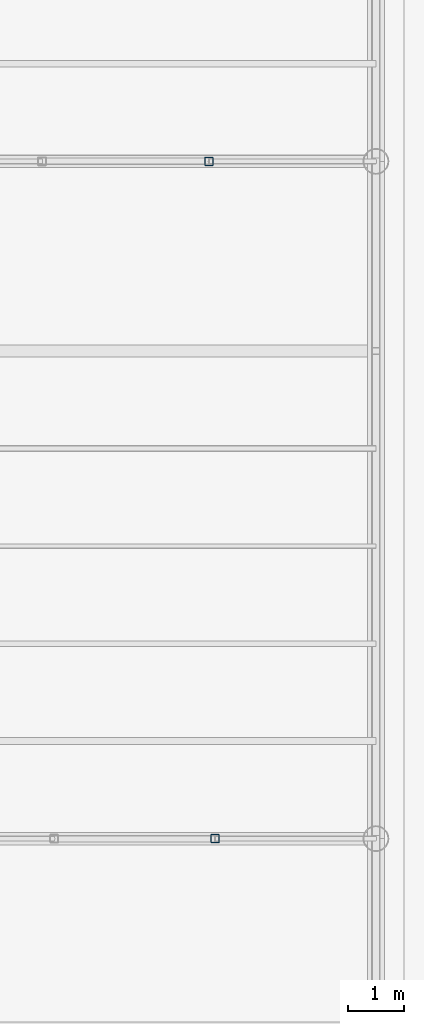
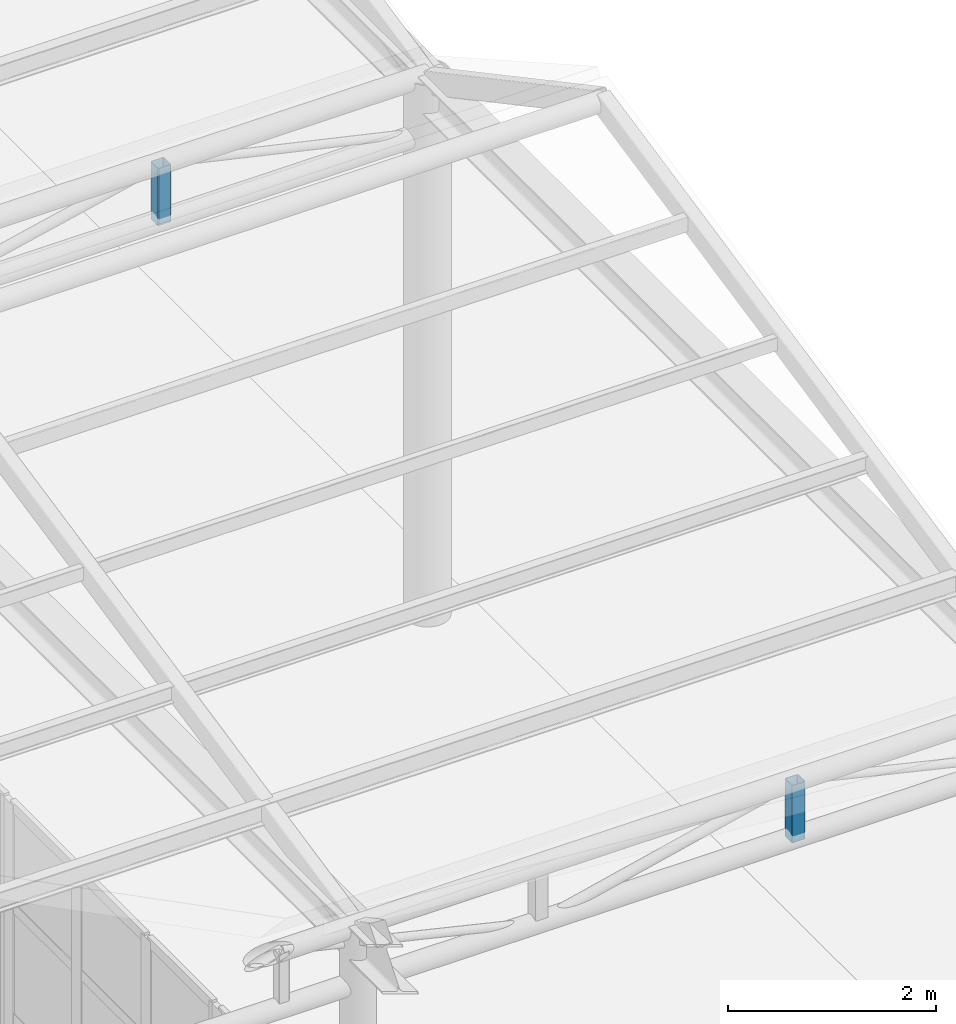
# One storey, part 63 of 118: 2 members.
"""IFC4 building model written with IfcOpenShell, lengths in metres."""

from ifc_helpers import new_model, si_unit, direction, frame, origin, origin_2d, place, context, subcontext, project, spatial, hollow_rectangle, extrude, material, material_profile, profile_set, type_object, element, save


model = new_model("IFC4")

# Units and contexts
model_context = context("Model", 3, precision=1e-05, world=origin(), true_north=direction((0.0, 1.0)))
body_context = subcontext(model_context, "Body", "Model", "MODEL_VIEW")
ifc_project = project(units=[si_unit("LENGTHUNIT", "METRE"), si_unit("AREAUNIT", "SQUARE_METRE"), si_unit("VOLUMEUNIT", "CUBIC_METRE"), si_unit("PLANEANGLEUNIT", "RADIAN"), si_unit("MASSUNIT", "GRAM", prefix="KILO")], contexts=[model_context])

# Site, building, storey
site_placement = place(None, origin())
site = spatial("IfcSite", under=ifc_project, at=site_placement, CompositionType="ELEMENT")
building_placement = place(site_placement, origin())
building = spatial("IfcBuilding", under=site, at=building_placement, Name="Kolvaren Corner Interchange", CompositionType="ELEMENT")
storey_placement = place(building_placement, origin())
storey = spatial("IfcBuildingStorey", under=building, at=storey_placement, Name="L01", CompositionType="ELEMENT", Elevation=0.0)

# Members
ifc_material = material(Name="Steel S355", Category="steel")
ifc_material_profile = material_profile(ifc_material, hollow_rectangle(XDim=0.14990234375, YDim=0.14990234375, WallThickness=0.008056640625, InnerFilletRadius=0.008056640625, OuterFilletRadius=0.01611328125, at=origin_2d()), Name="SHS 150x150x8.0")
ifc_profile_set = profile_set([ifc_material_profile], Name="Steel S355")
member_type = type_object("IfcMemberType", Name="MEM-PT-SHS150", PredefinedType="POST", material=ifc_profile_set)
for number, where, z_axis, x_axis, name in (
    (1, (160.64990234375, 66.0, 5.64990234375), (0.0, 0.0, 1.0), (1.0, 0.0, 0.0), "Bus Canopy Sawtooth Roof Truss 03 Web Post 06"),
    (2, (160.541748046875, 78.0, 5.64990234375), (0.0, 0.0, 1.0), (1.0, 0.0, 0.0), "Bus Canopy Sawtooth Roof Truss 04 Web Post 12"),
):
    element("IfcMember", number, at=place(storey_placement, frame(where, z_axis=z_axis, x_axis=x_axis)), inside=storey, type_object=member_type, Name=name, PredefinedType="POST", context=body_context, shape_type="SweptSolid", body=[
        extrude(hollow_rectangle(XDim=0.14990234375, YDim=0.14990234375, WallThickness=0.008056640625, InnerFilletRadius=0.008056640625, OuterFilletRadius=0.01611328125, at=origin_2d()), origin(), (0.0, 0.0, 1.0), 0.670166015625),
    ])

save(model, "model.ifc")
